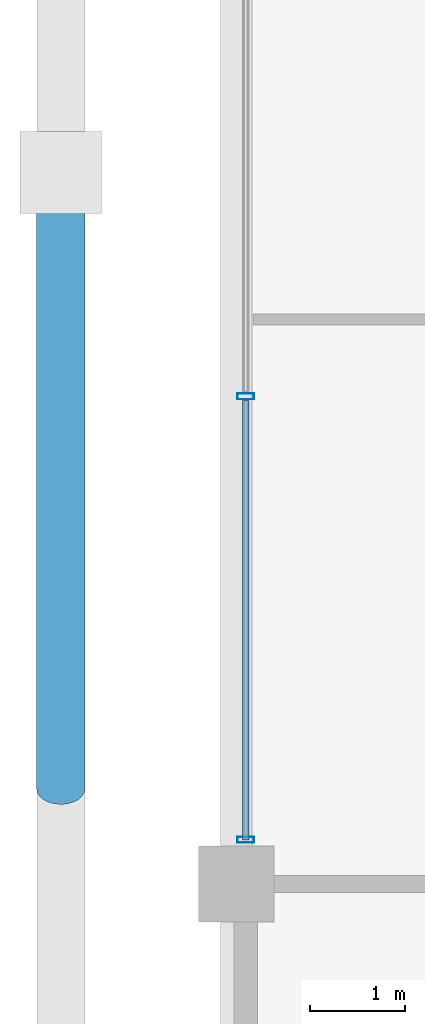
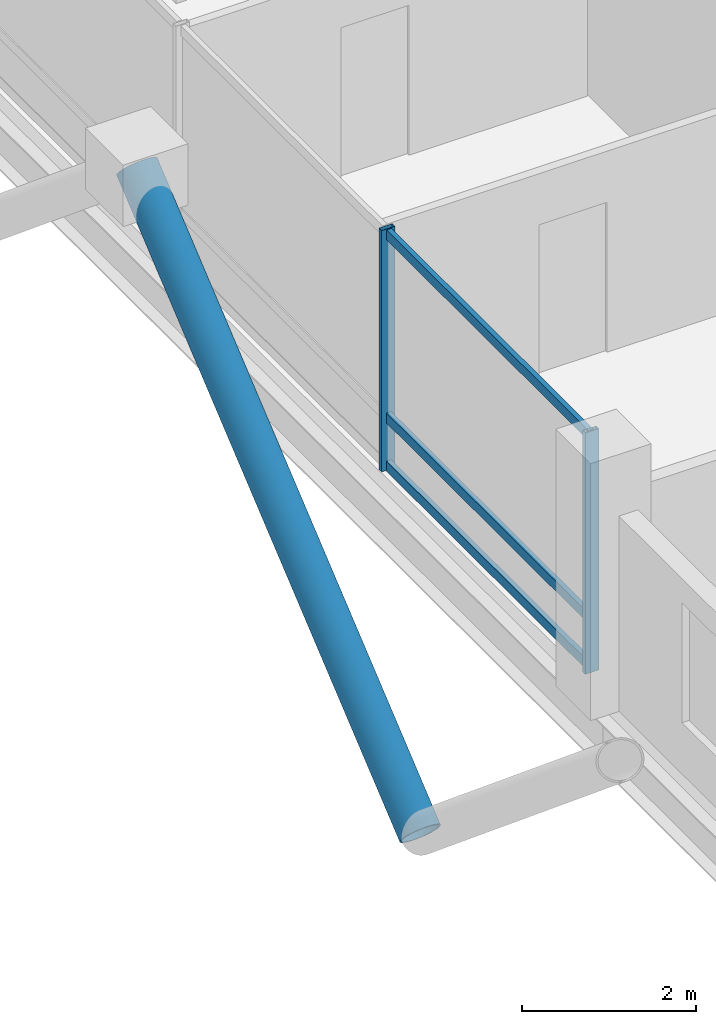
# One storey, part 4 of 23: 6 members, 1 element without a shape of its own.
"""IFC4 building model written with IfcOpenShell, lengths in metres."""

from ifc_helpers import new_model, si_unit, direction, frame, origin, origin_2d, place, context, subcontext, project, spatial, hollow_rectangle, hollow_circle, extrude, material, layer, layer_set, material_profile, profile_set, type_object, element, aggregate, save


model = new_model("IFC4")

# Units and contexts
model_context = context("Model", 3, precision=1e-05, world=origin(), true_north=direction((0.0, 1.0)))
body_context = subcontext(model_context, "Body", "Model", "MODEL_VIEW")
ifc_project = project(units=[si_unit("LENGTHUNIT", "METRE"), si_unit("AREAUNIT", "SQUARE_METRE"), si_unit("VOLUMEUNIT", "CUBIC_METRE"), si_unit("PLANEANGLEUNIT", "RADIAN"), si_unit("MASSUNIT", "GRAM", prefix="KILO")], contexts=[model_context])

# Site, building, storey
site_placement = place(None, origin())
site = spatial("IfcSite", under=ifc_project, at=site_placement, CompositionType="ELEMENT")
building_placement = place(site_placement, origin())
building = spatial("IfcBuilding", under=site, at=building_placement, Name="Barlavira Tower and Art Museum", CompositionType="ELEMENT")
storey_placement = place(building_placement, frame((0.0, 0.0, 140.39990234375)))
storey = spatial("IfcBuildingStorey", under=building, at=storey_placement, Name="L35", CompositionType="ELEMENT", Elevation=140.39990234375)

# Curtain wall, members
ifc_material_1 = material(Name="Low-iron coastal laminated glass", Category="glass")
ifc_layer = layer(ifc_material_1, 0.18994140625, Name="Low-iron coastal laminated glass")
ifc_layer_set = layer_set([ifc_layer], Name="Low-iron coastal laminated glass")
curtain_wall_type = type_object("IfcCurtainWallType", Name="Pale-Metal Unitised Curtain Wall Zone 2", PredefinedType="NOTDEFINED", material=ifc_layer_set)
curtain_wall_placement = place(storey_placement, origin())
curtain_wall = element("IfcCurtainWall", 1, at=curtain_wall_placement, inside=storey, type_object=curtain_wall_type, Name="L35 Curtain Wall CW2-L35-W-B3", PredefinedType="NOTDEFINED")
ifc_material_2 = material(Name="Pale anodised aluminium", Category="aluminium")
ifc_material_profile_1 = material_profile(ifc_material_2, hollow_rectangle(XDim=0.06494140625, YDim=0.179931640625, WallThickness=0.00390625, at=origin_2d()), Name="ALU-MULL 65x180x4")
ifc_profile_set_1 = profile_set([ifc_material_profile_1], Name="Pale anodised aluminium")
member_type_1 = type_object("IfcMemberType", Name="Curtain Wall Pale-Metal Mullion 65x180", PredefinedType="MULLION", material=ifc_profile_set_1)
member_1_placement = place(storey_placement, frame((-20.14990234375, -2.360107421875, 0.0), z_axis=(0.0, 0.0, 1.0), x_axis=(0.0, -1.0, 0.0)))
member_1 = element("IfcMember", 2, at=member_1_placement, type_object=member_type_1, Name="CW2-L35-W-B3 Mullion 2", PredefinedType="MULLION", context=body_context, shape_type="SweptSolid", body=[
    extrude(hollow_rectangle(XDim=0.06494140625, YDim=0.179931640625, WallThickness=0.00390625, at=origin_2d()), origin(), (0.0, 0.0, 1.0), 3.380126953125),
])
member_2_placement = place(storey_placement, frame((-20.14990234375, -7.034912109375, 0.0), z_axis=(0.0, 0.0, 1.0), x_axis=(0.0, -1.0, 0.0)))
member_2 = element("IfcMember", 3, at=member_2_placement, type_object=member_type_1, Name="CW2-L35-W-B3 Mullion 3", PredefinedType="MULLION", context=body_context, shape_type="SweptSolid", body=[
    extrude(hollow_rectangle(XDim=0.06494140625, YDim=0.179931640625, WallThickness=0.00390625, at=origin_2d()), origin(), (0.0, 0.0, 1.0), 3.380126953125),
])
ifc_material_profile_2 = material_profile(ifc_material_2, hollow_rectangle(XDim=0.06494140625, YDim=0.139892578125, WallThickness=0.00390625, at=origin_2d()), Name="ALU-TRAN 65x140x4")
ifc_profile_set_2 = profile_set([ifc_material_profile_2], Name="Pale anodised aluminium")
member_type_2 = type_object("IfcMemberType", Name="Curtain Wall Pale-Metal Transom 65x140", PredefinedType="USERDEFINED", material=ifc_profile_set_2)
member_3_placement = place(storey_placement, frame((-20.14990234375, -2.405029296875, 0.070068359375), z_axis=(0.0, -1.0, 0.0), x_axis=(1.0, 0.0, 0.0)))
member_3 = element("IfcMember", 4, at=member_3_placement, type_object=member_type_2, Name="CW2-L35-W-B3 Transom 2.1", ObjectType="TRANSOM", PredefinedType="USERDEFINED", context=body_context, shape_type="SweptSolid", body=[
    extrude(hollow_rectangle(XDim=0.06494140625, YDim=0.139892578125, WallThickness=0.00390625, at=origin_2d()), origin(), (0.0, 0.0, 1.0), 4.6298828125),
])
member_4_placement = place(storey_placement, frame((-20.14990234375, -2.405029296875, 0.744140625), z_axis=(0.0, -1.0, 0.0), x_axis=(1.0, 0.0, 0.0)))
member_4 = element("IfcMember", 5, at=member_4_placement, type_object=member_type_2, Name="CW2-L35-W-B3 Transom 2.2", ObjectType="TRANSOM", PredefinedType="USERDEFINED", context=body_context, shape_type="SweptSolid", body=[
    extrude(hollow_rectangle(XDim=0.06494140625, YDim=0.139892578125, WallThickness=0.00390625, at=origin_2d()), origin(), (0.0, 0.0, 1.0), 4.6298828125),
])
member_5_placement = place(storey_placement, frame((-20.14990234375, -2.405029296875, 3.31005859375), z_axis=(0.0, -1.0, 0.0), x_axis=(1.0, 0.0, 0.0)))
member_5 = element("IfcMember", 6, at=member_5_placement, type_object=member_type_2, Name="CW2-L35-W-B3 Transom 2.3", ObjectType="TRANSOM", PredefinedType="USERDEFINED", context=body_context, shape_type="SweptSolid", body=[
    extrude(hollow_rectangle(XDim=0.06494140625, YDim=0.139892578125, WallThickness=0.00390625, at=origin_2d()), origin(), (0.0, 0.0, 1.0), 4.6298828125),
])
aggregate(curtain_wall, [member_1, member_2, member_3, member_4, member_5])

# Member
ifc_material_3 = material(Name="Steel S355", Category="steel")
ifc_material_profile_3 = material_profile(ifc_material_3, hollow_circle(Radius=0.25390625, WallThickness=0.022216796875, at=origin_2d()), Name="CHS 508.0x22.2")
ifc_profile_set_3 = profile_set([ifc_material_profile_3], Name="Steel S355")
member_type_3 = type_object("IfcMemberType", Name="Pale-Metal Exoskeleton Diagrid Tube CHS 508x22 Steel S355", PredefinedType="BRACE", material=ifc_profile_set_3)
member_6_placement = place(storey_placement, frame((-22.10009765625, -6.5, -1.919921875), z_axis=(0.0, 0.769196053329, 0.639012857104), x_axis=(-1.0, 0.0, 0.0)))
element("IfcMember", 7, at=member_6_placement, inside=storey, type_object=member_type_3, Name="L35 Exoskeleton Diagrid Tube W", PredefinedType="BRACE", context=body_context, shape_type="SweptSolid", body=[
    extrude(hollow_circle(Radius=0.25390625, WallThickness=0.022216796875, at=origin_2d()), origin(), (0.0, 0.0, 1.0), 8.450439453125),
])

save(model, "model.ifc")
